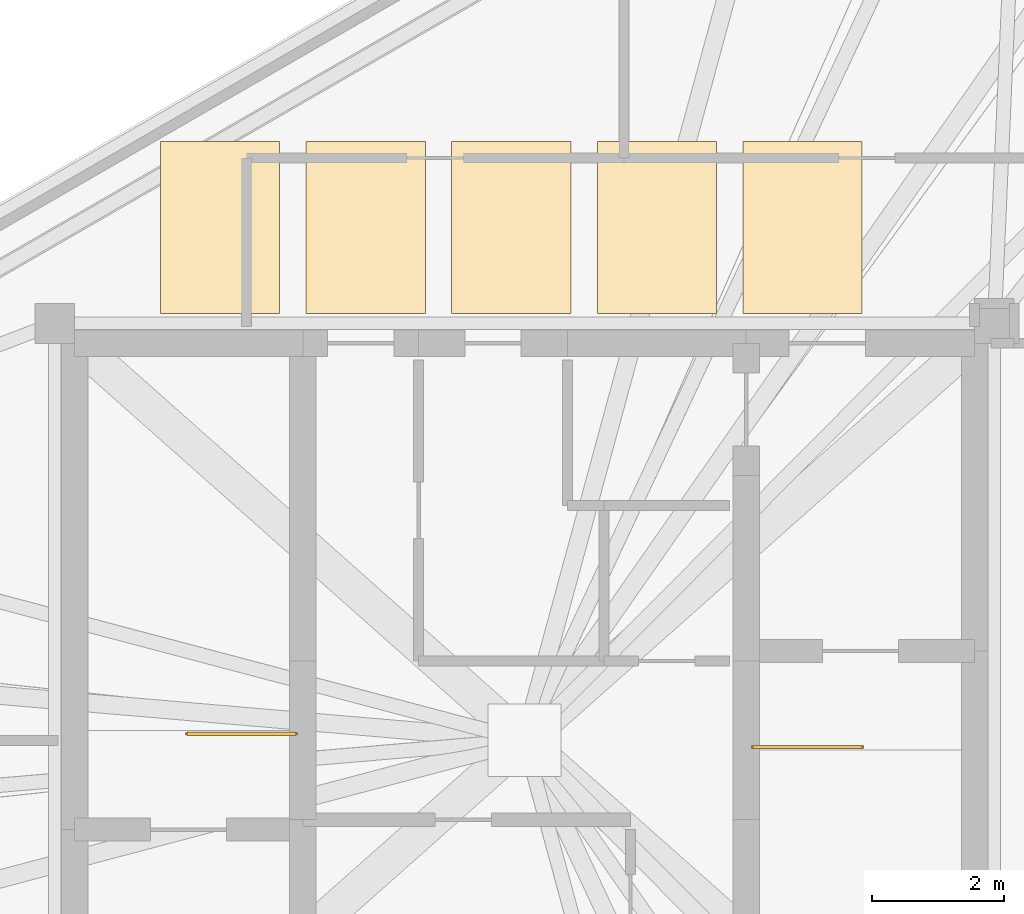
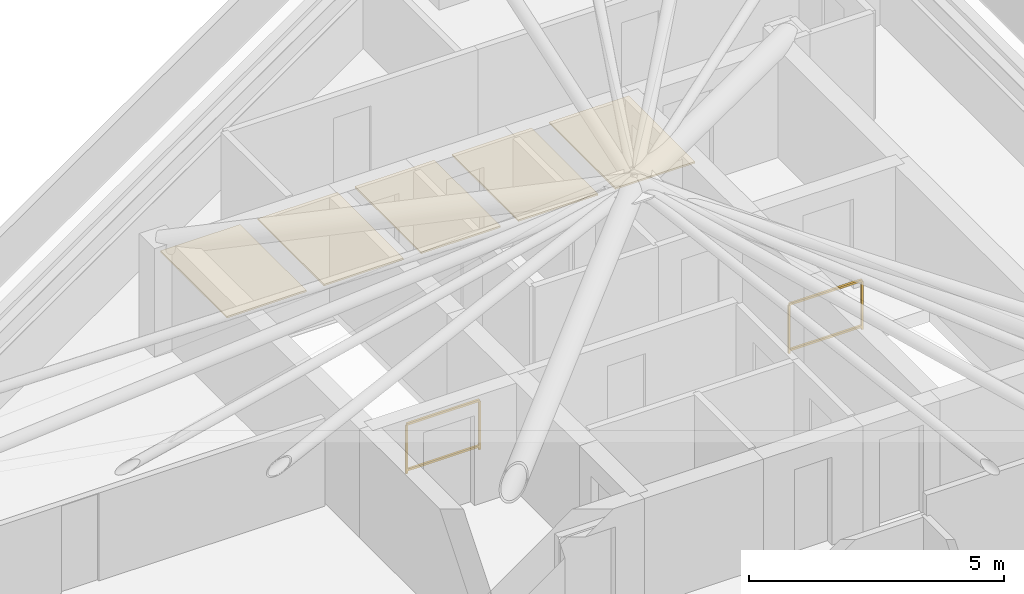
# One storey, part 5 of 5: 5 coverings, 2 railings.
"""IFC4 building model written with IfcOpenShell, lengths in metres."""

import ifcopenshell
import ifcopenshell.guid

model = None  # the IFC model being written
_history = None  # IfcOwnerHistory: only IFC2X3 demands one
_inside = {}  # id of a spatial element -> (the spatial element, [elements in it])
_under = {}  # id of a project, library or spatial element -> (it, [spatial elements below it])
_declared = {}  # id of a project -> (the project, [libraries it declares])
_typed = {}  # id of a type object -> (the type object, [elements of that type])
_made_of = {}  # id of a material, layer set ... -> (it, [elements and type objects made of it])


def new_model(schema):
    """Start an empty IFC model of exactly this schema.

    Asked for "IFC4X3", IfcOpenShell would pick the latest addendum, in which some entities
    have other attributes; the version numbers below select the first issue.
    IFC2X3 requires an IfcOwnerHistory on every rooted entity: one is made here for all.
    """
    global model, _history
    if schema == "IFC4X3":
        model = ifcopenshell.file(schema_version=(4, 3, 0, 0))
    else:
        model = ifcopenshell.file(schema=schema)
    _inside.clear()
    _under.clear()
    _declared.clear()
    _typed.clear()
    _made_of.clear()
    _history = None
    if model.schema == "IFC2X3":
        org = make("IfcOrganization", Name="unknown")
        user = make(
            "IfcPersonAndOrganization",
            ThePerson=make("IfcPerson", FamilyName="unknown"),
            TheOrganization=org,
        )
        app = make(
            "IfcApplication",
            ApplicationDeveloper=org,
            Version="unknown",
            ApplicationFullName="unknown",
            ApplicationIdentifier="unknown",
        )
        _history = make(
            "IfcOwnerHistory",
            OwningUser=user,
            OwningApplication=app,
            ChangeAction="ADDED",
            CreationDate=0,
        )
    return model


def make(cls, **values):
    """One entity of the class cls with the attributes given. An attribute that is None is left unset."""
    return model.create_entity(
        cls, **{name: value for name, value in values.items() if value is not None}
    )


def rooted(cls, **values):
    """An entity with a GlobalId (a new one), such as an element, a storey or a relation."""
    return make(cls, GlobalId=ifcopenshell.guid.new(), OwnerHistory=_history, **values)


def si_unit(unit_type, name, prefix=None):
    """IfcSIUnit, for example si_unit("LENGTHUNIT", "METRE", prefix="MILLI")."""
    return make("IfcSIUnit", UnitType=unit_type, Prefix=prefix, Name=name)


def assignment(units):
    """IfcUnitAssignment: the units of a project."""
    return None if units is None else make("IfcUnitAssignment", Units=units)


def point(xyz):
    """IfcCartesianPoint."""
    return None if xyz is None else make("IfcCartesianPoint", Coordinates=xyz)


def direction(xyz):
    """IfcDirection."""
    return None if xyz is None else make("IfcDirection", DirectionRatios=xyz)


def frame(location, z_axis=None, x_axis=None):
    """IfcAxis2Placement3D, a coordinate frame: its origin and axes. An axis left out is left unset."""
    return make(
        "IfcAxis2Placement3D",
        Location=point(location),
        Axis=direction(z_axis),
        RefDirection=direction(x_axis),
    )


def frame_2d(location, x_axis=None):
    """IfcAxis2Placement2D, a coordinate frame in the plane: its origin and x axis."""
    return make(
        "IfcAxis2Placement2D", Location=point(location), RefDirection=direction(x_axis)
    )


def origin():
    """The frame at (0, 0, 0) with its axes left unset."""
    return frame((0.0, 0.0, 0.0))


def origin_2d():
    """The frame at (0, 0) in the plane with its x axis left unset."""
    return frame_2d((0.0, 0.0))


def place(relative_to, where):
    """IfcLocalPlacement: puts the frame where relative to a parent placement (None: the world)."""
    return make(
        "IfcLocalPlacement", PlacementRelTo=relative_to, RelativePlacement=where
    )


def context(
    kind, dimensions, precision=None, world=None, true_north=None, identifier=None
):
    """IfcGeometricRepresentationContext, for example the 3D "Model" context."""
    return make(
        "IfcGeometricRepresentationContext",
        ContextIdentifier=identifier,
        ContextType=kind,
        CoordinateSpaceDimension=dimensions,
        Precision=precision,
        WorldCoordinateSystem=world,
        TrueNorth=true_north,
    )


def subcontext(parent, identifier, kind, view, scale=None):
    """IfcGeometricRepresentationSubContext, for example "Body" below "Model"."""
    return make(
        "IfcGeometricRepresentationSubContext",
        ContextIdentifier=identifier,
        ContextType=kind,
        ParentContext=parent,
        TargetScale=scale,
        TargetView=view,
    )


def project(units=None, contexts=None):
    """IfcProject with its units and contexts."""
    return rooted(
        "IfcProject",
        Name="project",
        RepresentationContexts=contexts,
        UnitsInContext=assignment(units),
    )


def spatial(cls, under=None, at=None, **own):
    """A site, building, storey or space (cls), placed at a placement, below another one or the project."""
    s = rooted(cls, ObjectPlacement=at, **own)
    if under is not None:
        _under.setdefault(under.id(), (under, []))[1].append(s)
    return s


def polyline(points):
    """IfcPolyline through the points."""
    return make("IfcPolyline", Points=[point(p) for p in points])


def profile(cls, at=None, kind="AREA", **sizes):
    """A parametric profile (cls). Its sizes go by their IFC names, for example OverallWidth=200.0."""
    return make(cls, ProfileType=kind, Position=at, **sizes)


def rectangle(**sizes):
    """IfcRectangleProfileDef."""
    return profile("IfcRectangleProfileDef", **sizes)


def outline(outer, holes=None, kind="AREA"):
    """IfcArbitraryClosedProfileDef: a profile drawn as a closed curve; with holes, ...WithVoids."""
    if holes is None:
        return make("IfcArbitraryClosedProfileDef", ProfileType=kind, OuterCurve=outer)
    return make(
        "IfcArbitraryProfileDefWithVoids",
        ProfileType=kind,
        OuterCurve=outer,
        InnerCurves=holes,
    )


def extrude(swept, where, along, depth):
    """IfcExtrudedAreaSolid: the profile swept, set in the frame where, extruded along a direction by depth."""
    return make(
        "IfcExtrudedAreaSolid",
        SweptArea=swept,
        Position=where,
        ExtrudedDirection=direction(along),
        Depth=depth,
    )


def shape(context_of_items, identifier, shape_type, items):
    """IfcShapeRepresentation: the items that make up one representation, for example the "Body"."""
    return make(
        "IfcShapeRepresentation",
        ContextOfItems=context_of_items,
        RepresentationIdentifier=identifier,
        RepresentationType=shape_type,
        Items=items,
    )


def material(Name=None, Category=None):
    """IfcMaterial."""
    return make("IfcMaterial", Name=Name, Category=Category)


def layer(
    of_material, thickness, ventilated=None, Name=None, Category=None, Priority=None
):
    """IfcMaterialLayer: one layer of a wall or slab, of a material (None: an air gap)."""
    return make(
        "IfcMaterialLayer",
        Material=of_material,
        LayerThickness=thickness,
        IsVentilated=ventilated,
        Name=Name,
        Category=Category,
        Priority=Priority,
    )


def layer_set(layers, Name=None):
    """IfcMaterialLayerSet."""
    return make("IfcMaterialLayerSet", MaterialLayers=layers, LayerSetName=Name)


def made_of(thing, what):
    """Note that an element or type object is made of a material, layer set ...; save() writes the relation."""
    if what is not None:
        _made_of.setdefault(what.id(), (what, []))[1].append(thing)
    return thing


def type_object(cls, material=None, **own):
    """A type object (cls), such as IfcWallType, which elements share."""
    return made_of(rooted(cls, **own), material)


def element(
    cls,
    number,
    at=None,
    inside=None,
    cuts=None,
    type_object=None,
    material=None,
    context=None,
    identifier="Body",
    shape_type=None,
    held_by="IfcProductDefinitionShape",
    body=None,
    shapes=None,
    **own,
):
    """One element of the class cls, such as IfcWall. Its Tag is "e" and its number.

    at: its placement. inside: the storey or other place that contains it. cuts: it is an
    opening in that element (IfcRelVoidsElement). A single representation is given by context,
    identifier, shape_type and body (its items); several are given by shapes. held_by: the class
    of the entity that holds the representations. save() writes the other relations.
    """
    e = rooted(cls, Tag="e%d" % number, ObjectPlacement=at, **own)
    if body is not None:
        shapes = [shape(context, identifier, shape_type, body)]
    if shapes is not None:
        e.Representation = make(held_by, Representations=shapes)
    if inside is not None:
        _inside.setdefault(inside.id(), (inside, []))[1].append(e)
    if cuts is not None:
        rooted(
            "IfcRelVoidsElement", RelatingBuildingElement=cuts, RelatedOpeningElement=e
        )
    if type_object is not None:
        _typed.setdefault(type_object.id(), (type_object, []))[1].append(e)
    return made_of(e, material)


def aggregate(whole, parts):
    """IfcRelAggregates: a whole, such as a stair, and the parts it consists of."""
    return rooted("IfcRelAggregates", RelatingObject=whole, RelatedObjects=parts)


def save(model, path):
    """Write the relations noted so far, then the file.

    IfcRelAggregates (storeys below a building ...), IfcRelContainedInSpatialStructure (elements
    in a storey), IfcRelDefinesByType, IfcRelAssociatesMaterial and IfcRelDeclares: one each for
    every whole, place, type object, material and project.
    """
    for whole, parts in _under.values():
        aggregate(whole, parts)
    for where, things in _inside.values():
        rooted(
            "IfcRelContainedInSpatialStructure",
            RelatedElements=things,
            RelatingStructure=where,
        )
    for kind, things in _typed.values():
        rooted("IfcRelDefinesByType", RelatedObjects=things, RelatingType=kind)
    for what, things in _made_of.values():
        rooted("IfcRelAssociatesMaterial", RelatedObjects=things, RelatingMaterial=what)
    for by, libraries in _declared.values():
        rooted("IfcRelDeclares", RelatingContext=by, RelatedDefinitions=libraries)
    model.write(path)


model = new_model("IFC4")

# Units and contexts
model_context = context("Model", 3, precision=1e-05, world=origin(), true_north=direction((0.0, 1.0)))
body_context = subcontext(model_context, "Body", "Model", "MODEL_VIEW")
ifc_project = project(units=[si_unit("LENGTHUNIT", "METRE"), si_unit("AREAUNIT", "SQUARE_METRE"), si_unit("VOLUMEUNIT", "CUBIC_METRE"), si_unit("PLANEANGLEUNIT", "RADIAN"), si_unit("MASSUNIT", "GRAM", prefix="KILO")], contexts=[model_context])

# Site, building, storey
site_placement = place(None, origin())
site = spatial("IfcSite", under=ifc_project, at=site_placement, CompositionType="ELEMENT")
building_placement = place(site_placement, origin())
building = spatial("IfcBuilding", under=site, at=building_placement, Name="Mersakhor Tower and Convention Hall", CompositionType="ELEMENT")
storey_placement = place(building_placement, frame((0.0, 0.0, 264.0)))
storey = spatial("IfcBuildingStorey", under=building, at=storey_placement, Name="L73", CompositionType="ELEMENT", Elevation=264.0)

# Coverings
ifc_material_1 = material(Name="Elastomeric waterproof membrane and insulation", Category="other")
ifc_layer = layer(ifc_material_1, 0.0400390625)
ifc_layer_set = layer_set([ifc_layer], Name="Elastomeric waterproof membrane and insulation")
covering_type = type_object("IfcCoveringType", Name="COV-ROOF-MEMB", PredefinedType="ROOFING", material=ifc_layer_set)
covering_1_placement = place(storey_placement, origin())
element("IfcCovering", 1, at=covering_1_placement, inside=storey, type_object=covering_type, Name="L73 Crown Plant Waterproofing Membrane Strip TWM-1", PredefinedType="ROOFING", context=body_context, shape_type="SweptSolid", body=[
    extrude(outline(polyline([(23.5, 33.199951171875), (23.5, 35.800048828125), (25.300048828125, 35.800048828125), (25.300048828125, 33.199951171875), (23.5, 33.199951171875)])), origin(), (0.0, 0.0, 1.0), 0.0400390625),
])
covering_2_placement = place(storey_placement, origin())
element("IfcCovering", 2, at=covering_2_placement, inside=storey, type_object=covering_type, Name="L73 Crown Plant Waterproofing Membrane Strip TWM-2", PredefinedType="ROOFING", context=body_context, shape_type="SweptSolid", body=[
    extrude(outline(polyline([(25.699951171875, 33.199951171875), (25.699951171875, 35.800048828125), (27.5, 35.800048828125), (27.5, 33.199951171875), (25.699951171875, 33.199951171875)])), origin(), (0.0, 0.0, 1.0), 0.0400390625),
])
covering_3_placement = place(storey_placement, origin())
element("IfcCovering", 3, at=covering_3_placement, inside=storey, type_object=covering_type, Name="L73 Crown Plant Waterproofing Membrane Strip TWM-3", PredefinedType="ROOFING", context=body_context, shape_type="SweptSolid", body=[
    extrude(outline(polyline([(27.89990234375, 33.199951171875), (27.89990234375, 35.800048828125), (29.699951171875, 35.800048828125), (29.699951171875, 33.199951171875), (27.89990234375, 33.199951171875)])), origin(), (0.0, 0.0, 1.0), 0.0400390625),
])
covering_4_placement = place(storey_placement, origin())
element("IfcCovering", 4, at=covering_4_placement, inside=storey, type_object=covering_type, Name="L73 Crown Plant Waterproofing Membrane Strip TWM-4", PredefinedType="ROOFING", context=body_context, shape_type="SweptSolid", body=[
    extrude(outline(polyline([(30.10009765625, 33.199951171875), (30.10009765625, 35.800048828125), (31.89990234375, 35.800048828125), (31.89990234375, 33.199951171875), (30.10009765625, 33.199951171875)])), origin(), (0.0, 0.0, 1.0), 0.0400390625),
])
covering_5_placement = place(storey_placement, origin())
element("IfcCovering", 5, at=covering_5_placement, inside=storey, type_object=covering_type, Name="L73 Crown Plant Waterproofing Membrane Strip TWM-5", PredefinedType="ROOFING", context=body_context, shape_type="SweptSolid", body=[
    extrude(outline(polyline([(32.300048828125, 33.199951171875), (32.300048828125, 35.800048828125), (34.10009765625, 35.800048828125), (34.10009765625, 33.199951171875), (32.300048828125, 33.199951171875)])), origin(), (0.0, 0.0, 1.0), 0.0400390625),
])

# Railings
ifc_material_2 = material(Name="Painted steel stair balustrade S355", Category="steel")
railing_type = type_object("IfcRailingType", Name="RL-STG-1200", PredefinedType="BALUSTRADE", material=ifc_material_2)
railing_1_placement = place(storey_placement, frame((25.550048828125, 26.85009765625, 0.0)))
element("IfcRailing", 6, at=railing_1_placement, inside=storey, type_object=railing_type, Name="L73 ST-1 top well guard 1", PredefinedType="BALUSTRADE", context=body_context, shape_type="SweptSolid", body=[
    extrude(rectangle(XDim=0.048095703125, YDim=0.048095703125, at=origin_2d()), frame((0.0, 0.0, 1.17578125), z_axis=(-1.0, 0.0, 0.0), x_axis=(0.0, -1.0, 0.0)), (0.0, 0.0, 1.0), 1.650146484375),
    extrude(rectangle(XDim=0.048095703125, YDim=0.048095703125, at=origin_2d()), frame((0.0, 0.0, 0.080078125), z_axis=(-1.0, 0.0, 0.0), x_axis=(0.0, -1.0, 0.0)), (0.0, 0.0, 1.0), 1.650146484375),
    extrude(rectangle(XDim=0.0419921875, YDim=0.0419921875, at=origin_2d()), origin(), (0.0, 0.0, 1.0), 1.15185546875),
    extrude(rectangle(XDim=0.0419921875, YDim=0.0419921875, at=origin_2d()), frame((-1.650146484375, 0.0, 0.0)), (0.0, 0.0, 1.0), 1.15185546875),
])
railing_2_placement = place(storey_placement, frame((32.449951171875, 26.64990234375, 0.0)))
element("IfcRailing", 7, at=railing_2_placement, inside=storey, type_object=railing_type, Name="L73 ST-2 top well guard 1", PredefinedType="BALUSTRADE", context=body_context, shape_type="SweptSolid", body=[
    extrude(rectangle(XDim=0.048095703125, YDim=0.048095703125, at=origin_2d()), frame((0.0, 0.0, 1.17578125), z_axis=(1.0, 0.0, 0.0), x_axis=(0.0, 1.0, 0.0)), (0.0, 0.0, 1.0), 1.650146484375),
    extrude(rectangle(XDim=0.048095703125, YDim=0.048095703125, at=origin_2d()), frame((0.0, 0.0, 0.080078125), z_axis=(1.0, 0.0, 0.0), x_axis=(0.0, 1.0, 0.0)), (0.0, 0.0, 1.0), 1.650146484375),
    extrude(rectangle(XDim=0.0419921875, YDim=0.0419921875, at=origin_2d()), origin(), (0.0, 0.0, 1.0), 1.15185546875),
    extrude(rectangle(XDim=0.0419921875, YDim=0.0419921875, at=origin_2d()), frame((1.650146484375, 0.0, 0.0)), (0.0, 0.0, 1.0), 1.15185546875),
])

save(model, "model.ifc")
